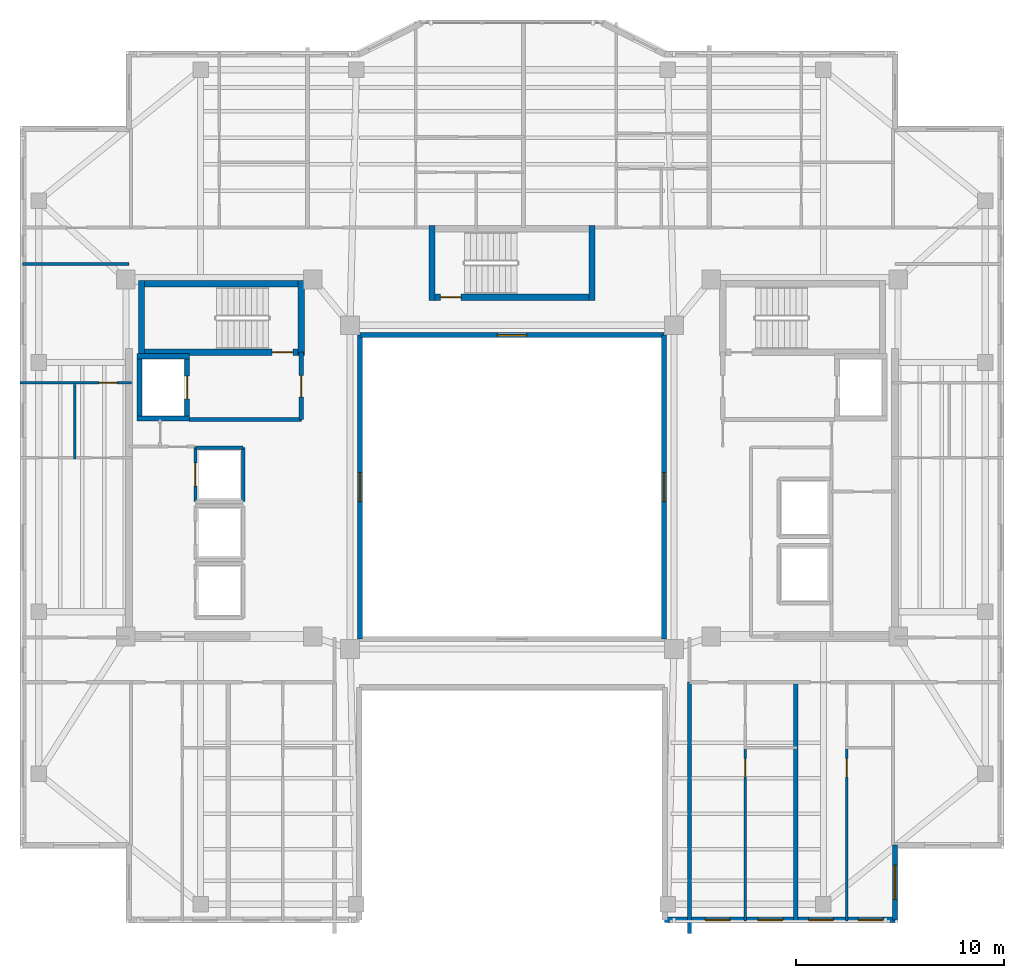
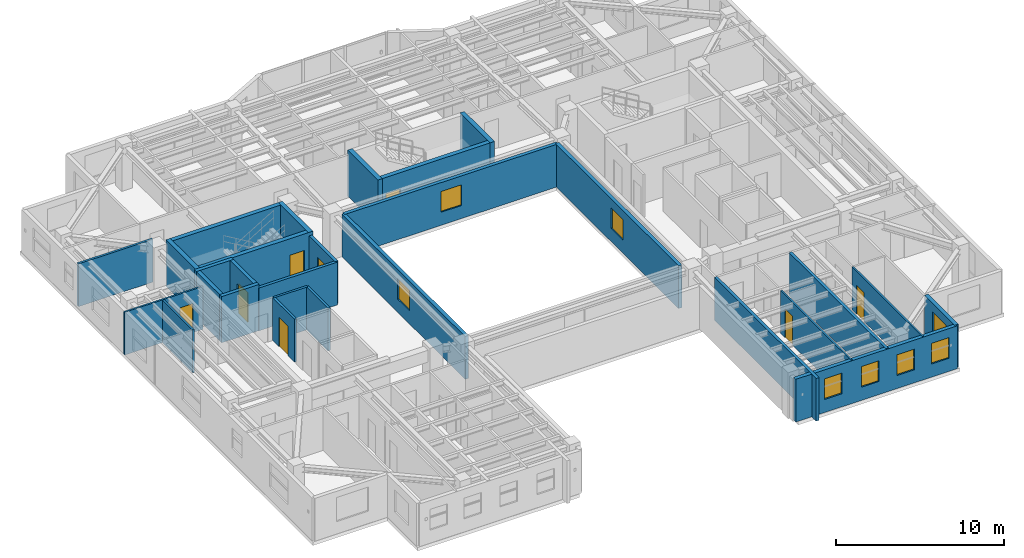
# One storey, part 5 of 12: 28 walls, 8 doors, 8 windows, 16 openings.
"""IFC4 building model written with IfcOpenShell, lengths in metres."""

from ifc_helpers import new_model, si_unit, direction, frame, frame_2d, origin, place, context, subcontext, project, spatial, rectangle, extrude, material, layer, layer_set, type_object, element, fill, save


model = new_model("IFC4")

# Units and contexts
model_context = context("Model", 3, precision=1e-05, world=origin(), true_north=direction((0.0, 1.0)))
body_context = subcontext(model_context, "Body", "Model", "MODEL_VIEW")
ifc_project = project(units=[si_unit("LENGTHUNIT", "METRE"), si_unit("AREAUNIT", "SQUARE_METRE"), si_unit("VOLUMEUNIT", "CUBIC_METRE"), si_unit("PLANEANGLEUNIT", "RADIAN"), si_unit("MASSUNIT", "GRAM", prefix="KILO")], contexts=[model_context])

# Site, building, storey
site_placement = place(None, origin())
site = spatial("IfcSite", under=ifc_project, at=site_placement, CompositionType="ELEMENT")
building_placement = place(site_placement, origin())
building = spatial("IfcBuilding", under=site, at=building_placement, Name="Tarnavaz Court Tower", CompositionType="ELEMENT")
storey_placement = place(building_placement, frame((0.0, 0.0, 210.35009765625)))
storey = spatial("IfcBuildingStorey", under=building, at=storey_placement, Name="L57", CompositionType="ELEMENT", Elevation=210.35009765625)

# Wall
ifc_material_1 = material(Name="Concrete C50/60", Category="concrete")
ifc_layer_1 = layer(ifc_material_1, 0.25)
ifc_layer_set_1 = layer_set([ifc_layer_1], Name="Concrete C50/60")
wall_type_1 = type_object("IfcWallType", Name="WL-CORE-250-C50", PredefinedType="SHEAR", material=ifc_layer_set_1)
wall_1_placement = place(storey_placement, frame((-17.949951171875, 3.175048828125, 0.0), z_axis=(0.0, 0.0, 1.0), x_axis=(0.0, 1.0, 0.0)))
element("IfcWall", 1, at=wall_1_placement, inside=storey, type_object=wall_type_1, Name="L57 Lift FL-W1 Shaft Wall 017", PredefinedType="SHEAR", context=body_context, shape_type="SweptSolid", body=[
    extrude(rectangle(XDim=3.25, YDim=0.25, at=frame_2d((1.625, 0.0))), origin(), (0.0, 0.0, 1.0), 3.349853515625),
])

# Wall, opening, door
wall_2_placement = place(storey_placement, frame((-15.64990234375, 3.175048828125, 0.0), z_axis=(0.0, 0.0, 1.0), x_axis=(0.0, 1.0, 0.0)))
wall_2 = element("IfcWall", 2, at=wall_2_placement, inside=storey, type_object=wall_type_1, Name="L57 Lift FL-W1 Shaft Wall 018", PredefinedType="SHEAR", context=body_context, shape_type="SweptSolid", body=[
    extrude(rectangle(XDim=3.25, YDim=0.25, at=frame_2d((1.625, 0.0))), origin(), (0.0, 0.0, 1.0), 3.349853515625),
])
opening_1_placement = place(wall_2_placement, frame((1.074951171875, 0.0, 0.0)))
opening_1 = element("IfcOpeningElement", 3, at=opening_1_placement, cuts=wall_2, Name="Opening LD1", PredefinedType="OPENING", context=body_context, shape_type="SweptSolid", body=[
    extrude(rectangle(XDim=1.10009765625, YDim=2.14990234375, at=frame_2d((0.550048828125, 1.074951171875))), frame((0.0, 0.135009765625, 0.0), z_axis=(0.0, -1.0, 0.0), x_axis=(1.0, 0.0, 0.0)), (0.0, 0.0, 1.0), 0.27001953125),
])
ifc_material_2 = material(Name="Stainless Steel", Category="steel")
door_type_1 = type_object("IfcDoorType", Name="DR-LD-1100", OperationType="NOTDEFINED", PredefinedType="DOOR", material=ifc_material_2)
door_1_placement = place(opening_1_placement, origin())
door_1 = element("IfcDoor", 4, at=door_1_placement, inside=storey, type_object=door_type_1, Name="L57 Lift Landing Door LD-FL-W1", OperationType="SLIDING_TO_LEFT", OverallHeight=2.14990234375, OverallWidth=1.10009765625, PredefinedType="DOOR", context=body_context, shape_type="SweptSolid", body=[
    extrude(rectangle(XDim=1.10009765625, YDim=2.14990234375, at=frame_2d((0.550048828125, 1.074951171875))), frame((0.0, 0.02490234375, 0.0), z_axis=(0.0, -1.0, 0.0), x_axis=(1.0, 0.0, 0.0)), (0.0, 0.0, 1.0), 0.050048828125),
])
fill(opening_1, door_1)

# Walls
for number, where, z_axis, x_axis, name in (
    (5, (-18.074951171875, 3.300048828125, 0.0), (0.0, 0.0, 1.0), (1.0, 0.0, 0.0), "L57 Lift FL-W1 Shaft Wall 019"),
    (6, (-18.074951171875, 6.300048828125, 0.0), (0.0, 0.0, 1.0), (1.0, 0.0, 0.0), "L57 Lift FL-W1 Shaft Wall 020"),
):
    element("IfcWall", number, at=place(storey_placement, frame(where, z_axis=z_axis, x_axis=x_axis)), inside=storey, type_object=wall_type_1, Name=name, PredefinedType="SHEAR", context=body_context, shape_type="SweptSolid", body=[
        extrude(rectangle(XDim=2.550048828125, YDim=0.25, at=frame_2d((1.27490234375, 0.0))), origin(), (0.0, 0.0, 1.0), 3.349853515625),
    ])
ifc_layer_2 = layer(ifc_material_1, 0.300048828125)
ifc_layer_set_2 = layer_set([ifc_layer_2], Name="Concrete C50/60")
wall_type_2 = type_object("IfcWallType", Name="WL-CORE-300-C50", PredefinedType="SHEAR", material=ifc_layer_set_2)
wall_3_placement = place(storey_placement, frame((-18.0, 9.7900390625, 0.0), z_axis=(0.0, 0.0, 1.0), x_axis=(1.0, 0.0, 0.0)))
element("IfcWall", 7, at=wall_3_placement, inside=storey, type_object=wall_type_2, Name="L57 West Stair Core Wall 001", PredefinedType="SHEAR", context=body_context, shape_type="SweptSolid", body=[
    extrude(rectangle(XDim=8.0, YDim=0.300048828125, at=frame_2d((4.0, 0.0))), origin(), (0.0, 0.0, 1.0), 3.349853515625),
])

# Wall, opening, door
wall_4_placement = place(storey_placement, frame((-18.0, 6.5, 0.0), z_axis=(0.0, 0.0, 1.0), x_axis=(1.0, 0.0, 0.0)))
wall_4 = element("IfcWall", 8, at=wall_4_placement, inside=storey, type_object=wall_type_2, Name="L57 West Stair Core Wall 002", PredefinedType="SHEAR", context=body_context, shape_type="SweptSolid", body=[
    extrude(rectangle(XDim=8.0, YDim=0.300048828125, at=frame_2d((4.0, 0.0))), origin(), (0.0, 0.0, 1.0), 3.349853515625),
])
opening_2_placement = place(wall_4_placement, frame((6.449951171875, 0.0, 0.0)))
opening_2 = element("IfcOpeningElement", 9, at=opening_2_placement, cuts=wall_4, Name="Opening D01", PredefinedType="OPENING", context=body_context, shape_type="SweptSolid", body=[
    extrude(rectangle(XDim=1.0, YDim=2.14990234375, at=frame_2d((0.5, 1.074951171875))), frame((0.0, 0.159912109375, 0.0), z_axis=(0.0, -1.0, 0.0), x_axis=(1.0, 0.0, 0.0)), (0.0, 0.0, 1.0), 0.320068359375),
])
ifc_material_3 = material(Name="Fire-Rated Hardwood Timber Core", Category="wood")
door_type_2 = type_object("IfcDoorType", Name="DR-FD90-1000", OperationType="NOTDEFINED", PredefinedType="DOOR", material=ifc_material_3)
door_2_placement = place(opening_2_placement, origin())
door_2 = element("IfcDoor", 10, at=door_2_placement, inside=storey, type_object=door_type_2, Name="L57 Stair ST-W1 Exit Door", OperationType="SINGLE_SWING_LEFT", OverallHeight=2.14990234375, OverallWidth=1.0, PredefinedType="DOOR", context=body_context, shape_type="SweptSolid", body=[
    extrude(rectangle(XDim=1.0, YDim=2.14990234375, at=frame_2d((0.5, 1.074951171875))), frame((0.0, 0.02490234375, 0.0), z_axis=(0.0, -1.0, 0.0), x_axis=(1.0, 0.0, 0.0)), (0.0, 0.0, 1.0), 0.050048828125),
])
fill(opening_2, door_2)

# Walls
for number, where, z_axis, x_axis, name in (
    (11, (-17.85009765625, 6.35009765625, 0.0), (0.0, 0.0, 1.0), (0.0, 1.0, 0.0), "L57 West Stair Core Wall 003"),
    (12, (-10.14990234375, 6.35009765625, 0.0), (0.0, 0.0, 1.0), (0.0, 1.0, 0.0), "L57 West Stair Core Wall 004"),
):
    element("IfcWall", number, at=place(storey_placement, frame(where, z_axis=z_axis, x_axis=x_axis)), inside=storey, type_object=wall_type_2, Name=name, PredefinedType="SHEAR", context=body_context, shape_type="SweptSolid", body=[
        extrude(rectangle(XDim=3.58984375, YDim=0.300048828125, at=frame_2d((1.794921875, 0.0))), origin(), (0.0, 0.0, 1.0), 3.349853515625),
    ])

# Wall, opening, door
wall_5_placement = place(storey_placement, frame((-4.0, 9.14990234375, 0.0), z_axis=(0.0, 0.0, 1.0), x_axis=(1.0, 0.0, 0.0)))
wall_5 = element("IfcWall", 13, at=wall_5_placement, inside=storey, type_object=wall_type_2, Name="L57 North Stair Core Wall 010", PredefinedType="SHEAR", context=body_context, shape_type="SweptSolid", body=[
    extrude(rectangle(XDim=8.0, YDim=0.300048828125, at=frame_2d((4.0, 0.0))), origin(), (0.0, 0.0, 1.0), 3.349853515625),
])
opening_3_placement = place(wall_5_placement, frame((0.550048828125, 0.0, 0.0)))
opening_3 = element("IfcOpeningElement", 14, at=opening_3_placement, cuts=wall_5, Name="Opening D01", PredefinedType="OPENING", context=body_context, shape_type="SweptSolid", body=[
    extrude(rectangle(XDim=1.0, YDim=2.14990234375, at=frame_2d((0.5, 1.074951171875))), frame((0.0, 0.159912109375, 0.0), z_axis=(0.0, -1.0, 0.0), x_axis=(1.0, 0.0, 0.0)), (0.0, 0.0, 1.0), 0.320068359375),
])
door_3_placement = place(opening_3_placement, origin())
door_3 = element("IfcDoor", 15, at=door_3_placement, inside=storey, type_object=door_type_2, Name="L57 Stair ST-N1 Exit Door", OperationType="SINGLE_SWING_LEFT", OverallHeight=2.14990234375, OverallWidth=1.0, PredefinedType="DOOR", context=body_context, shape_type="SweptSolid", body=[
    extrude(rectangle(XDim=1.0, YDim=2.14990234375, at=frame_2d((0.5, 1.074951171875))), frame((0.0, 0.02490234375, 0.0), z_axis=(0.0, -1.0, 0.0), x_axis=(1.0, 0.0, 0.0)), (0.0, 0.0, 1.0), 0.050048828125),
])
fill(opening_3, door_3)

# Walls
for number, where, z_axis, x_axis, name in (
    (16, (-3.85009765625, 9.0, 0.0), (0.0, 0.0, 1.0), (0.0, 1.0, 0.0), "L57 North Stair Core Wall 011"),
    (17, (3.85009765625, 9.0, 0.0), (0.0, 0.0, 1.0), (0.0, 1.0, 0.0), "L57 North Stair Core Wall 012"),
):
    element("IfcWall", number, at=place(storey_placement, frame(where, z_axis=z_axis, x_axis=x_axis)), inside=storey, type_object=wall_type_2, Name=name, PredefinedType="SHEAR", context=body_context, shape_type="SweptSolid", body=[
        extrude(rectangle(XDim=3.590087890625, YDim=0.300048828125, at=frame_2d((1.794921875, 0.0))), origin(), (0.0, 0.0, 1.0), 3.349853515625),
    ])

# Wall, opening, window
ifc_material_4 = material(Name="Precast Concrete C40/50", Category="concrete")
ifc_layer_3 = layer(ifc_material_4, 0.260009765625)
ifc_layer_set_3 = layer_set([ifc_layer_3], Name="Precast Concrete C40/50")
wall_type_3 = type_object("IfcWallType", Name="WL-EXT-260", PredefinedType="SOLIDWALL", material=ifc_layer_set_3)
wall_6_placement = place(storey_placement, frame((18.449951171875, -17.25, 0.0), z_axis=(0.0, 0.0, 1.0), x_axis=(0.0, -1.0, 0.0)))
wall_6 = element("IfcWall", 18, at=wall_6_placement, inside=storey, type_object=wall_type_3, Name="L57 Exterior Terracotta Facade Wall 14", PredefinedType="SOLIDWALL", context=body_context, shape_type="SweptSolid", body=[
    extrude(rectangle(XDim=3.60009765625, YDim=0.260009765625, at=frame_2d((1.800048828125, 0.0))), origin(), (0.0, 0.0, 1.0), 3.099853515625),
])
opening_4_placement = place(wall_6_placement, frame((0.95751953125, 0.0, 0.89990234375)))
opening_4 = element("IfcOpeningElement", 19, at=opening_4_placement, cuts=wall_6, Name="Opening W02", PredefinedType="OPENING", context=body_context, shape_type="SweptSolid", body=[
    extrude(rectangle(XDim=1.64990234375, YDim=1.60009765625, at=frame_2d((0.824951171875, 0.800048828125))), frame((0.0, 0.139892578125, 0.0), z_axis=(0.0, -1.0, 0.0), x_axis=(1.0, 0.0, 0.0)), (0.0, 0.0, 1.0), 0.280029296875),
])
ifc_material_5 = material(Name="Double-Glazed Solar Low-E Glass", Category="glass")
window_type_1 = type_object("IfcWindowType", Name="WN-APT-1650", PartitioningType="DOUBLE_PANEL_VERTICAL", PredefinedType="WINDOW", material=ifc_material_5)
window_1_placement = place(opening_4_placement, origin())
window_1 = element("IfcWindow", 20, at=window_1_placement, inside=storey, type_object=window_type_1, Name="L57 Flat 08 Kitchen Window", OverallHeight=1.60009765625, OverallWidth=1.64990234375, PartitioningType="SINGLE_PANEL", PredefinedType="WINDOW", context=body_context, shape_type="SweptSolid", body=[
    extrude(rectangle(XDim=1.64990234375, YDim=1.60009765625, at=frame_2d((0.824951171875, 0.800048828125))), frame((0.0, 0.030029296875, 0.0), z_axis=(0.0, -1.0, 0.0), x_axis=(1.0, 0.0, 0.0)), (0.0, 0.0, 1.0), 0.06005859375),
])
fill(opening_4, window_1)

# Wall, openings, windows
wall_7_placement = place(storey_placement, frame((18.449951171875, -20.85009765625, 0.0), z_axis=(0.0, 0.0, 1.0), x_axis=(-1.0, 0.0, 0.0)))
wall_7 = element("IfcWall", 21, at=wall_7_placement, inside=storey, type_object=wall_type_3, Name="L57 Exterior Terracotta Facade Wall 15", PredefinedType="SOLIDWALL", context=body_context, shape_type="SweptSolid", body=[
    extrude(rectangle(XDim=11.099853515625, YDim=0.260009765625, at=frame_2d((5.5498046875, 0.0))), origin(), (0.0, 0.0, 1.0), 3.099853515625),
])
opening_5_placement = place(wall_7_placement, frame((0.58056640625, 0.0, 0.949951171875)))
opening_5 = element("IfcOpeningElement", 22, at=opening_5_placement, cuts=wall_7, Name="Opening W05", PredefinedType="OPENING", context=body_context, shape_type="SweptSolid", body=[
    extrude(rectangle(XDim=1.199951171875, YDim=1.5, at=frame_2d((0.60009765625, 0.75))), frame((0.0, 0.139892578125, 0.0), z_axis=(0.0, -1.0, 0.0), x_axis=(1.0, 0.0, 0.0)), (0.0, 0.0, 1.0), 0.280029296875),
])
opening_6_placement = place(wall_7_placement, frame((2.966064453125, 0.0, 0.949951171875)))
opening_6 = element("IfcOpeningElement", 23, at=opening_6_placement, cuts=wall_7, Name="Opening W05", PredefinedType="OPENING", context=body_context, shape_type="SweptSolid", body=[
    extrude(rectangle(XDim=1.199951171875, YDim=1.5, at=frame_2d((0.60009765625, 0.75))), frame((0.0, 0.139892578125, 0.0), z_axis=(0.0, -1.0, 0.0), x_axis=(1.0, 0.0, 0.0)), (0.0, 0.0, 1.0), 0.280029296875),
])
opening_7_placement = place(wall_7_placement, frame((5.402099609375, 0.0, 0.949951171875)))
opening_7 = element("IfcOpeningElement", 24, at=opening_7_placement, cuts=wall_7, Name="Opening W05", PredefinedType="OPENING", context=body_context, shape_type="SweptSolid", body=[
    extrude(rectangle(XDim=1.199951171875, YDim=1.5, at=frame_2d((0.60009765625, 0.75))), frame((0.0, 0.139892578125, 0.0), z_axis=(0.0, -1.0, 0.0), x_axis=(1.0, 0.0, 0.0)), (0.0, 0.0, 1.0), 0.280029296875),
])
opening_8_placement = place(wall_7_placement, frame((7.9384765625, 0.0, 0.949951171875)))
opening_8 = element("IfcOpeningElement", 25, at=opening_8_placement, cuts=wall_7, Name="Opening W05", PredefinedType="OPENING", context=body_context, shape_type="SweptSolid", body=[
    extrude(rectangle(XDim=1.199951171875, YDim=1.5, at=frame_2d((0.60009765625, 0.75))), frame((0.0, 0.139892578125, 0.0), z_axis=(0.0, -1.0, 0.0), x_axis=(1.0, 0.0, 0.0)), (0.0, 0.0, 1.0), 0.280029296875),
])
window_type_2 = type_object("IfcWindowType", Name="WN-APT-1200", PartitioningType="SINGLE_PANEL", PredefinedType="WINDOW", material=ifc_material_5)
window_2_placement = place(opening_5_placement, origin())
window_2 = element("IfcWindow", 26, at=window_2_placement, inside=storey, type_object=window_type_2, Name="L57 Flat 08 Kitchen Window", OverallHeight=1.5, OverallWidth=1.199951171875, PartitioningType="SINGLE_PANEL", PredefinedType="WINDOW", context=body_context, shape_type="SweptSolid", body=[
    extrude(rectangle(XDim=1.199951171875, YDim=1.5, at=frame_2d((0.60009765625, 0.75))), frame((0.0, 0.030029296875, 0.0), z_axis=(0.0, -1.0, 0.0), x_axis=(1.0, 0.0, 0.0)), (0.0, 0.0, 1.0), 0.06005859375),
])
fill(opening_5, window_2)
window_3_placement = place(opening_6_placement, origin())
window_3 = element("IfcWindow", 27, at=window_3_placement, inside=storey, type_object=window_type_2, Name="L57 Flat 08 Studio Living and Sleeping Room Window", OverallHeight=1.5, OverallWidth=1.199951171875, PartitioningType="SINGLE_PANEL", PredefinedType="WINDOW", context=body_context, shape_type="SweptSolid", body=[
    extrude(rectangle(XDim=1.199951171875, YDim=1.5, at=frame_2d((0.60009765625, 0.75))), frame((0.0, 0.030029296875, 0.0), z_axis=(0.0, -1.0, 0.0), x_axis=(1.0, 0.0, 0.0)), (0.0, 0.0, 1.0), 0.06005859375),
])
fill(opening_6, window_3)
window_4_placement = place(opening_7_placement, origin())
window_4 = element("IfcWindow", 28, at=window_4_placement, inside=storey, type_object=window_type_2, Name="L57 Flat 07 Kitchen Window", OverallHeight=1.5, OverallWidth=1.199951171875, PartitioningType="SINGLE_PANEL", PredefinedType="WINDOW", context=body_context, shape_type="SweptSolid", body=[
    extrude(rectangle(XDim=1.199951171875, YDim=1.5, at=frame_2d((0.60009765625, 0.75))), frame((0.0, 0.030029296875, 0.0), z_axis=(0.0, -1.0, 0.0), x_axis=(1.0, 0.0, 0.0)), (0.0, 0.0, 1.0), 0.06005859375),
])
fill(opening_7, window_4)
window_5_placement = place(opening_8_placement, origin())
window_5 = element("IfcWindow", 29, at=window_5_placement, inside=storey, type_object=window_type_2, Name="L57 Flat 07 Studio Living and Sleeping Room Window", OverallHeight=1.5, OverallWidth=1.199951171875, PartitioningType="SINGLE_PANEL", PredefinedType="WINDOW", context=body_context, shape_type="SweptSolid", body=[
    extrude(rectangle(XDim=1.199951171875, YDim=1.5, at=frame_2d((0.60009765625, 0.75))), frame((0.0, 0.030029296875, 0.0), z_axis=(0.0, -1.0, 0.0), x_axis=(1.0, 0.0, 0.0)), (0.0, 0.0, 1.0), 0.06005859375),
])
fill(opening_8, window_5)

# Walls
ifc_material_6 = material(Name="Gypsum Fire-Board on Acoustic Metal Stud", Category="masonry")
ifc_layer_4 = layer(ifc_material_6, 0.14990234375)
ifc_layer_set_4 = layer_set([ifc_layer_4], Name="Gypsum Fire-Board on Acoustic Metal Stud")
wall_type_4 = type_object("IfcWallType", Name="WL-FIRE-150", PredefinedType="PARTITIONING", material=ifc_layer_set_4)
wall_8_placement = place(storey_placement, frame((-23.580078125, 10.75, 0.0), z_axis=(0.0, 0.0, 1.0), x_axis=(1.0, 0.0, 0.0)))
element("IfcWall", 30, at=wall_8_placement, inside=storey, type_object=wall_type_4, Name="L57 Interior Partition 100", PredefinedType="PARTITIONING", context=body_context, shape_type="SweptSolid", body=[
    extrude(rectangle(XDim=5.130126953125, YDim=0.14990234375, at=frame_2d((2.56494140625, 0.0))), origin(), (0.0, 0.0, 1.0), 3.099853515625),
])
ifc_material_7 = material(Name="Autoclaved Aerated Concrete Blockwork", Category="masonry")
ifc_layer_5 = layer(ifc_material_7, 0.199951171875)
ifc_layer_set_5 = layer_set([ifc_layer_5], Name="Autoclaved Aerated Concrete Blockwork")
wall_type_5 = type_object("IfcWallType", Name="WL-FIRE-200", PredefinedType="SOLIDWALL", material=ifc_layer_set_5)
wall_9_placement = place(storey_placement, frame((-15.550048828125, 3.25, 0.0), z_axis=(0.0, 0.0, 1.0), x_axis=(1.0, 0.0, 0.0)))
element("IfcWall", 31, at=wall_9_placement, inside=storey, type_object=wall_type_5, Name="L57 West Firefighting Lobby Wall 013", PredefinedType="SOLIDWALL", context=body_context, shape_type="SweptSolid", body=[
    extrude(rectangle(XDim=5.400146484375, YDim=0.199951171875, at=frame_2d((2.7001953125, 0.0))), origin(), (0.0, 0.0, 1.0), 3.099853515625),
])

# Wall, opening, door
wall_10_placement = place(storey_placement, frame((-10.14990234375, 3.25, 0.0), z_axis=(0.0, 0.0, 1.0), x_axis=(0.0, 1.0, 0.0)))
wall_10 = element("IfcWall", 32, at=wall_10_placement, inside=storey, type_object=wall_type_5, Name="L57 West Firefighting Lobby Wall 014", PredefinedType="SOLIDWALL", context=body_context, shape_type="SweptSolid", body=[
    extrude(rectangle(XDim=3.25, YDim=0.199951171875, at=frame_2d((1.625, 0.0))), origin(), (0.0, 0.0, 1.0), 3.099853515625),
])
opening_9_placement = place(wall_10_placement, frame((1.10009765625, 0.0, 0.0)))
opening_9 = element("IfcOpeningElement", 33, at=opening_9_placement, cuts=wall_10, Name="Opening D05", PredefinedType="OPENING", context=body_context, shape_type="SweptSolid", body=[
    extrude(rectangle(XDim=1.02001953125, YDim=2.14990234375, at=frame_2d((0.510009765625, 1.074951171875))), frame((0.0, 0.10986328125, 0.0), z_axis=(0.0, -1.0, 0.0), x_axis=(1.0, 0.0, 0.0)), (0.0, 0.0, 1.0), 0.219970703125),
])
door_type_3 = type_object("IfcDoorType", Name="DR-FD60-1000", OperationType="NOTDEFINED", PredefinedType="DOOR", material=ifc_material_3)
door_4_placement = place(opening_9_placement, origin())
door_4 = element("IfcDoor", 34, at=door_4_placement, inside=storey, type_object=door_type_3, Name="L57 West Firefighting Lobby Door", OperationType="SINGLE_SWING_RIGHT", OverallHeight=2.14990234375, OverallWidth=1.02001953125, PredefinedType="DOOR", context=body_context, shape_type="SweptSolid", body=[
    extrude(rectangle(XDim=1.02001953125, YDim=2.14990234375, at=frame_2d((0.510009765625, 1.074951171875))), frame((0.0, 0.02490234375, 0.0), z_axis=(0.0, -1.0, 0.0), x_axis=(1.0, 0.0, 0.0)), (0.0, 0.0, 1.0), 0.050048828125),
])
fill(opening_9, door_4)

# Walls
wall_11_placement = place(storey_placement, frame((13.669921875, -20.89990234375, 0.0), z_axis=(0.0, 0.0, 1.0), x_axis=(0.0, 1.0, 0.0)))
element("IfcWall", 35, at=wall_11_placement, inside=storey, type_object=wall_type_5, Name="L57 Party Wall 090", PredefinedType="SOLIDWALL", context=body_context, shape_type="SweptSolid", body=[
    extrude(rectangle(XDim=11.5, YDim=0.199951171875, at=frame_2d((5.75, 0.0))), origin(), (0.0, 0.0, 1.0), 3.099853515625),
])
wall_12_placement = place(storey_placement, frame((8.550048828125, -21.50390625, 0.0), z_axis=(0.0, 0.0, 1.0), x_axis=(0.0, 1.0, 0.0)))
element("IfcWall", 36, at=wall_12_placement, inside=storey, type_object=wall_type_5, Name="L57 Party Wall 098", PredefinedType="SOLIDWALL", context=body_context, shape_type="SweptSolid", body=[
    extrude(rectangle(XDim=12.10400390625, YDim=0.199951171875, at=frame_2d((6.052001953125, 0.0))), origin(), (0.0, 0.0, 1.0), 3.099853515625),
])

# Wall, opening, door
ifc_material_8 = material(Name="Moisture-Resistant Gypsum Board Partition", Category="masonry")
ifc_layer_6 = layer(ifc_material_8, 0.1201171875)
ifc_layer_set_6 = layer_set([ifc_layer_6], Name="Moisture-Resistant Gypsum Board Partition")
wall_type_6 = type_object("IfcWallType", Name="WL-PART-120", PredefinedType="PARTITIONING", material=ifc_layer_set_6)
wall_13_placement = place(storey_placement, frame((11.23388671875, -20.89990234375, 0.0), z_axis=(0.0, 0.0, 1.0), x_axis=(0.0, 1.0, 0.0)))
wall_13 = element("IfcWall", 37, at=wall_13_placement, inside=storey, type_object=wall_type_6, Name="L57 Interior Partition 091", PredefinedType="PARTITIONING", context=body_context, shape_type="SweptSolid", body=[
    extrude(rectangle(XDim=8.33984375, YDim=0.1201171875, at=frame_2d((4.169921875, 0.0))), origin(), (0.0, 0.0, 1.0), 3.099853515625),
])
opening_10_placement = place(wall_13_placement, frame((6.93994140625, 0.0, 0.0)))
opening_10 = element("IfcOpeningElement", 38, at=opening_10_placement, cuts=wall_13, Name="Opening D14", PredefinedType="OPENING", context=body_context, shape_type="SweptSolid", body=[
    extrude(rectangle(XDim=0.8798828125, YDim=2.10009765625, at=frame_2d((0.43994140625, 1.050048828125))), frame((0.0, 0.070068359375, 0.0), z_axis=(0.0, -1.0, 0.0), x_axis=(1.0, 0.0, 0.0)), (0.0, 0.0, 1.0), 0.14013671875),
])
ifc_material_9 = material(Name="Engineered Oak Timber", Category="wood")
door_type_4 = type_object("IfcDoorType", Name="DR-INT-900", OperationType="NOTDEFINED", PredefinedType="DOOR", material=ifc_material_9)
door_5_placement = place(opening_10_placement, origin())
door_5 = element("IfcDoor", 39, at=door_5_placement, inside=storey, type_object=door_type_4, Name="L57 Flat 07 Kitchen Door", OperationType="SINGLE_SWING_LEFT", OverallHeight=2.10009765625, OverallWidth=0.8798828125, PredefinedType="DOOR", context=body_context, shape_type="SweptSolid", body=[
    extrude(rectangle(XDim=0.8798828125, YDim=2.10009765625, at=frame_2d((0.43994140625, 1.050048828125))), frame((0.0, 0.02490234375, 0.0), z_axis=(0.0, -1.0, 0.0), x_axis=(1.0, 0.0, 0.0)), (0.0, 0.0, 1.0), 0.050048828125),
])
fill(opening_10, door_5)

wall_14_placement = place(storey_placement, frame((16.1298828125, -20.89990234375, 0.0), z_axis=(0.0, 0.0, 1.0), x_axis=(0.0, 1.0, 0.0)))
wall_14 = element("IfcWall", 40, at=wall_14_placement, inside=storey, type_object=wall_type_6, Name="L57 Interior Partition 094", PredefinedType="PARTITIONING", context=body_context, shape_type="SweptSolid", body=[
    extrude(rectangle(XDim=8.33984375, YDim=0.1201171875, at=frame_2d((4.169921875, 0.0))), origin(), (0.0, 0.0, 1.0), 3.099853515625),
])
opening_11_placement = place(wall_14_placement, frame((6.93994140625, 0.0, 0.0)))
opening_11 = element("IfcOpeningElement", 41, at=opening_11_placement, cuts=wall_14, Name="Opening D14", PredefinedType="OPENING", context=body_context, shape_type="SweptSolid", body=[
    extrude(rectangle(XDim=0.8798828125, YDim=2.10009765625, at=frame_2d((0.43994140625, 1.050048828125))), frame((0.0, 0.070068359375, 0.0), z_axis=(0.0, -1.0, 0.0), x_axis=(1.0, 0.0, 0.0)), (0.0, 0.0, 1.0), 0.14013671875),
])
door_6_placement = place(opening_11_placement, origin())
door_6 = element("IfcDoor", 42, at=door_6_placement, inside=storey, type_object=door_type_4, Name="L57 Flat 08 Kitchen Door", OperationType="SINGLE_SWING_RIGHT", OverallHeight=2.10009765625, OverallWidth=0.8798828125, PredefinedType="DOOR", context=body_context, shape_type="SweptSolid", body=[
    extrude(rectangle(XDim=0.8798828125, YDim=2.10009765625, at=frame_2d((0.43994140625, 1.050048828125))), frame((0.0, 0.02490234375, 0.0), z_axis=(0.0, -1.0, 0.0), x_axis=(1.0, 0.0, 0.0)), (0.0, 0.0, 1.0), 0.050048828125),
])
fill(opening_11, door_6)

wall_15_placement = place(storey_placement, frame((-23.699951171875, 5.02001953125, 0.0), z_axis=(0.0, 0.0, 1.0), x_axis=(1.0, 0.0, 0.0)))
wall_15 = element("IfcWall", 43, at=wall_15_placement, inside=storey, type_object=wall_type_6, Name="L57 Interior Partition 112", PredefinedType="PARTITIONING", context=body_context, shape_type="SweptSolid", body=[
    extrude(rectangle(XDim=5.369873046875, YDim=0.1201171875, at=frame_2d((2.68505859375, 0.0))), origin(), (0.0, 0.0, 1.0), 3.099853515625),
])
opening_12_placement = place(wall_15_placement, frame((3.800048828125, 0.0, 0.0)))
opening_12 = element("IfcOpeningElement", 44, at=opening_12_placement, cuts=wall_15, Name="Opening D14", PredefinedType="OPENING", context=body_context, shape_type="SweptSolid", body=[
    extrude(rectangle(XDim=0.8798828125, YDim=2.10009765625, at=frame_2d((0.43994140625, 1.050048828125))), frame((0.0, 0.070068359375, 0.0), z_axis=(0.0, -1.0, 0.0), x_axis=(1.0, 0.0, 0.0)), (0.0, 0.0, 1.0), 0.14013671875),
])
door_7_placement = place(opening_12_placement, origin())
door_7 = element("IfcDoor", 45, at=door_7_placement, inside=storey, type_object=door_type_4, Name="L57 Flat 09 Study Door", OperationType="SINGLE_SWING_LEFT", OverallHeight=2.10009765625, OverallWidth=0.8798828125, PredefinedType="DOOR", context=body_context, shape_type="SweptSolid", body=[
    extrude(rectangle(XDim=0.8798828125, YDim=2.10009765625, at=frame_2d((0.43994140625, 1.050048828125))), frame((0.0, 0.02490234375, 0.0), z_axis=(0.0, -1.0, 0.0), x_axis=(1.0, 0.0, 0.0)), (0.0, 0.0, 1.0), 0.050048828125),
])
fill(opening_12, door_7)

# Wall
wall_16_placement = place(storey_placement, frame((-21.06494140625, 1.360107421875, 0.0), z_axis=(0.0, 0.0, 1.0), x_axis=(0.0, 1.0, 0.0)))
element("IfcWall", 46, at=wall_16_placement, inside=storey, type_object=wall_type_6, Name="L57 Interior Partition 113", PredefinedType="PARTITIONING", context=body_context, shape_type="SweptSolid", body=[
    extrude(rectangle(XDim=3.579833984375, YDim=0.1201171875, at=frame_2d((1.7900390625, 0.0))), origin(), (0.0, 0.0, 1.0), 3.099853515625),
])

# Wall, opening, door
ifc_layer_7 = layer(ifc_material_7, 0.159912109375)
ifc_layer_set_7 = layer_set([ifc_layer_7], Name="Autoclaved Aerated Concrete Blockwork")
wall_type_7 = type_object("IfcWallType", Name="WL-SHAFT-150", PredefinedType="SOLIDWALL", material=ifc_layer_set_7)
wall_17_placement = place(storey_placement, frame((-15.25, -0.699951171875, 0.0), z_axis=(0.0, 0.0, 1.0), x_axis=(0.0, 1.0, 0.0)))
wall_17 = element("IfcWall", 47, at=wall_17_placement, inside=storey, type_object=wall_type_7, Name="L57 Lift PL-H3 Shaft Wall 029", PredefinedType="SOLIDWALL", context=body_context, shape_type="SweptSolid", body=[
    extrude(rectangle(XDim=2.599853515625, YDim=0.159912109375, at=frame_2d((1.2998046875, 0.0))), origin(), (0.0, 0.0, 1.0), 3.099853515625),
])
opening_13_placement = place(wall_17_placement, frame((0.75, 0.0, 0.0)))
opening_13 = element("IfcOpeningElement", 48, at=opening_13_placement, cuts=wall_17, Name="Opening LD1", PredefinedType="OPENING", context=body_context, shape_type="SweptSolid", body=[
    extrude(rectangle(XDim=1.10009765625, YDim=2.14990234375, at=frame_2d((0.550048828125, 1.074951171875))), frame((0.0, 0.08984375, 0.0), z_axis=(0.0, -1.0, 0.0), x_axis=(1.0, 0.0, 0.0)), (0.0, 0.0, 1.0), 0.179931640625),
])
door_8_placement = place(opening_13_placement, origin())
door_8 = element("IfcDoor", 49, at=door_8_placement, inside=storey, type_object=door_type_1, Name="L57 Lift Landing Door LD-PL-H3", OperationType="SLIDING_TO_LEFT", OverallHeight=2.14990234375, OverallWidth=1.10009765625, PredefinedType="DOOR", context=body_context, shape_type="SweptSolid", body=[
    extrude(rectangle(XDim=1.10009765625, YDim=2.14990234375, at=frame_2d((0.550048828125, 1.074951171875))), frame((0.0, 0.02490234375, 0.0), z_axis=(0.0, -1.0, 0.0), x_axis=(1.0, 0.0, 0.0)), (0.0, 0.0, 1.0), 0.050048828125),
])
fill(opening_13, door_8)

# Walls
wall_18_placement = place(storey_placement, frame((-12.949951171875, -0.699951171875, 0.0), z_axis=(0.0, 0.0, 1.0), x_axis=(0.0, 1.0, 0.0)))
element("IfcWall", 50, at=wall_18_placement, inside=storey, type_object=wall_type_7, Name="L57 Lift PL-H3 Shaft Wall 030", PredefinedType="SOLIDWALL", context=body_context, shape_type="SweptSolid", body=[
    extrude(rectangle(XDim=2.599853515625, YDim=0.159912109375, at=frame_2d((1.2998046875, 0.0))), origin(), (0.0, 0.0, 1.0), 3.099853515625),
])
wall_19_placement = place(storey_placement, frame((-15.25, 1.89990234375, 0.0), z_axis=(0.0, 0.0, 1.0), x_axis=(1.0, 0.0, 0.0)))
element("IfcWall", 51, at=wall_19_placement, inside=storey, type_object=wall_type_7, Name="L57 Lift PL-H3 Shaft Wall 032", PredefinedType="SOLIDWALL", context=body_context, shape_type="SweptSolid", body=[
    extrude(rectangle(XDim=2.300048828125, YDim=0.159912109375, at=frame_2d((1.14990234375, 0.0))), origin(), (0.0, 0.0, 1.0), 3.099853515625),
])

# Wall, opening, window
ifc_layer_8 = layer(ifc_material_4, 0.239990234375)
ifc_layer_set_8 = layer_set([ifc_layer_8], Name="Precast Concrete C40/50")
wall_type_8 = type_object("IfcWallType", Name="WL-WELL-240", PredefinedType="SOLIDWALL", material=ifc_layer_set_8)
wall_20_placement = place(storey_placement, frame((7.320068359375, -7.320068359375, 0.0), z_axis=(0.0, 0.0, 1.0), x_axis=(0.0, 1.0, 0.0)))
wall_20 = element("IfcWall", 52, at=wall_20_placement, inside=storey, type_object=wall_type_8, Name="L57 Badgir Light-Well Exterior Wall E", PredefinedType="SOLIDWALL", context=body_context, shape_type="SweptSolid", body=[
    extrude(rectangle(XDim=14.64013671875, YDim=0.239990234375, at=frame_2d((7.320068359375, 0.0))), origin(), (0.0, 0.0, 1.0), 3.099853515625),
])
opening_14_placement = place(wall_20_placement, frame((6.6201171875, 0.0, 0.949951171875)))
opening_14 = element("IfcOpeningElement", 53, at=opening_14_placement, cuts=wall_20, Name="Opening W13", PredefinedType="OPENING", context=body_context, shape_type="SweptSolid", body=[
    extrude(rectangle(XDim=1.39990234375, YDim=1.5, at=frame_2d((0.699951171875, 0.75))), frame((0.0, 0.1298828125, 0.0), z_axis=(0.0, -1.0, 0.0), x_axis=(1.0, 0.0, 0.0)), (0.0, 0.0, 1.0), 0.260009765625),
])
window_type_3 = type_object("IfcWindowType", Name="WN-WEL-1400", PartitioningType="SINGLE_PANEL", PredefinedType="WINDOW", material=ifc_material_5)
window_6_placement = place(opening_14_placement, origin())
window_6 = element("IfcWindow", 54, at=window_6_placement, inside=storey, type_object=window_type_3, Name="L57 Courtyard Gallery Window E", OverallHeight=1.5, OverallWidth=1.39990234375, PartitioningType="SINGLE_PANEL", PredefinedType="WINDOW", context=body_context, shape_type="SweptSolid", body=[
    extrude(rectangle(XDim=1.39990234375, YDim=1.5, at=frame_2d((0.699951171875, 0.75))), frame((0.0, 0.030029296875, 0.0), z_axis=(0.0, -1.0, 0.0), x_axis=(1.0, 0.0, 0.0)), (0.0, 0.0, 1.0), 0.06005859375),
])
fill(opening_14, window_6)

wall_21_placement = place(storey_placement, frame((7.320068359375, 7.320068359375, 0.0), z_axis=(0.0, 0.0, 1.0), x_axis=(-1.0, 0.0, 0.0)))
wall_21 = element("IfcWall", 55, at=wall_21_placement, inside=storey, type_object=wall_type_8, Name="L57 Badgir Light-Well Exterior Wall N", PredefinedType="SOLIDWALL", context=body_context, shape_type="SweptSolid", body=[
    extrude(rectangle(XDim=14.64013671875, YDim=0.239990234375, at=frame_2d((7.320068359375, 0.0))), origin(), (0.0, 0.0, 1.0), 3.099853515625),
])
opening_15_placement = place(wall_21_placement, frame((6.6201171875, 0.0, 0.949951171875)))
opening_15 = element("IfcOpeningElement", 56, at=opening_15_placement, cuts=wall_21, Name="Opening W13", PredefinedType="OPENING", context=body_context, shape_type="SweptSolid", body=[
    extrude(rectangle(XDim=1.39990234375, YDim=1.5, at=frame_2d((0.699951171875, 0.75))), frame((0.0, 0.1298828125, 0.0), z_axis=(0.0, -1.0, 0.0), x_axis=(1.0, 0.0, 0.0)), (0.0, 0.0, 1.0), 0.260009765625),
])
window_7_placement = place(opening_15_placement, origin())
window_7 = element("IfcWindow", 57, at=window_7_placement, inside=storey, type_object=window_type_3, Name="L57 Courtyard Gallery Window N", OverallHeight=1.5, OverallWidth=1.39990234375, PartitioningType="SINGLE_PANEL", PredefinedType="WINDOW", context=body_context, shape_type="SweptSolid", body=[
    extrude(rectangle(XDim=1.39990234375, YDim=1.5, at=frame_2d((0.699951171875, 0.75))), frame((0.0, 0.030029296875, 0.0), z_axis=(0.0, -1.0, 0.0), x_axis=(1.0, 0.0, 0.0)), (0.0, 0.0, 1.0), 0.06005859375),
])
fill(opening_15, window_7)

wall_22_placement = place(storey_placement, frame((-7.320068359375, 7.320068359375, 0.0), z_axis=(0.0, 0.0, 1.0), x_axis=(0.0, -1.0, 0.0)))
wall_22 = element("IfcWall", 58, at=wall_22_placement, inside=storey, type_object=wall_type_8, Name="L57 Badgir Light-Well Exterior Wall W", PredefinedType="SOLIDWALL", context=body_context, shape_type="SweptSolid", body=[
    extrude(rectangle(XDim=14.64013671875, YDim=0.239990234375, at=frame_2d((7.320068359375, 0.0))), origin(), (0.0, 0.0, 1.0), 3.099853515625),
])
opening_16_placement = place(wall_22_placement, frame((6.6201171875, 0.0, 0.949951171875)))
opening_16 = element("IfcOpeningElement", 59, at=opening_16_placement, cuts=wall_22, Name="Opening W13", PredefinedType="OPENING", context=body_context, shape_type="SweptSolid", body=[
    extrude(rectangle(XDim=1.39990234375, YDim=1.5, at=frame_2d((0.699951171875, 0.75))), frame((0.0, 0.1298828125, 0.0), z_axis=(0.0, -1.0, 0.0), x_axis=(1.0, 0.0, 0.0)), (0.0, 0.0, 1.0), 0.260009765625),
])
window_8_placement = place(opening_16_placement, origin())
window_8 = element("IfcWindow", 60, at=window_8_placement, inside=storey, type_object=window_type_3, Name="L57 Courtyard Gallery Window W", OverallHeight=1.5, OverallWidth=1.39990234375, PartitioningType="SINGLE_PANEL", PredefinedType="WINDOW", context=body_context, shape_type="SweptSolid", body=[
    extrude(rectangle(XDim=1.39990234375, YDim=1.5, at=frame_2d((0.699951171875, 0.75))), frame((0.0, 0.030029296875, 0.0), z_axis=(0.0, -1.0, 0.0), x_axis=(1.0, 0.0, 0.0)), (0.0, 0.0, 1.0), 0.06005859375),
])
fill(opening_16, window_8)

save(model, "model.ifc")
